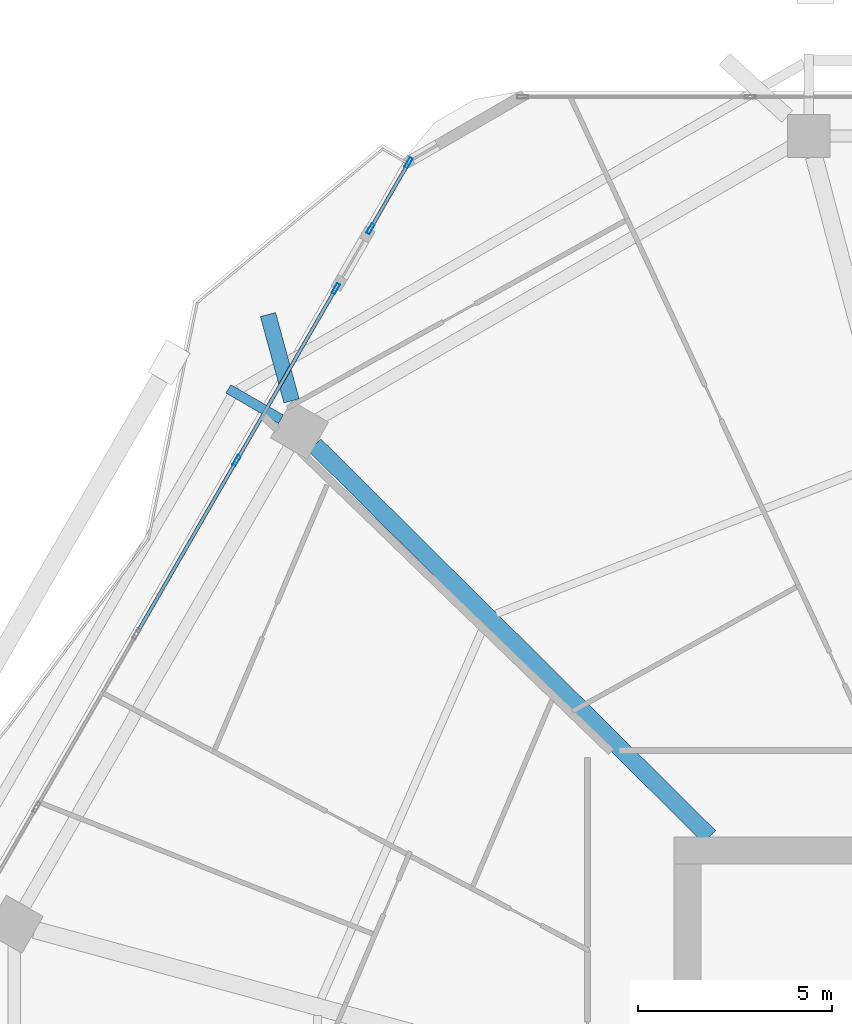
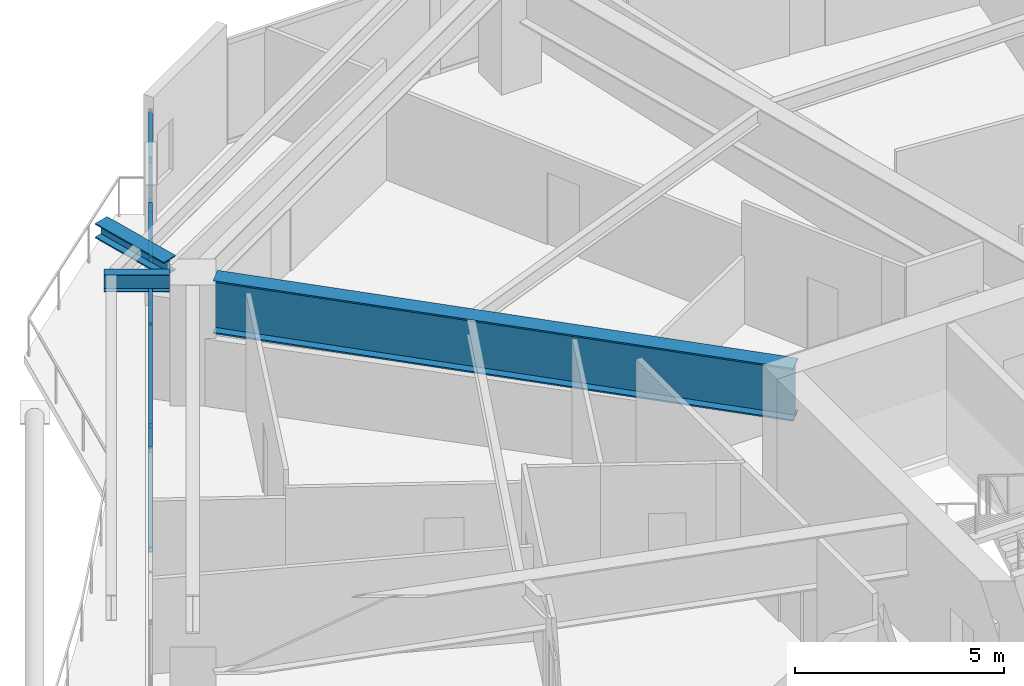
# One storey, part 16 of 33: 10 members, 3 beams, 2 elements without a shape of their own.
"""IFC4 building model written with IfcOpenShell, lengths in metres."""

from ifc_helpers import new_model, si_unit, direction, frame, origin, origin_2d, place, context, subcontext, project, spatial, hollow_rectangle, i_section, extrude, material, material_profile, profile_set, type_object, element, aggregate, save


model = new_model("IFC4")

# Units and contexts
model_context = context("Model", 3, precision=1e-05, world=origin(), true_north=direction((0.0, 1.0)))
body_context = subcontext(model_context, "Body", "Model", "MODEL_VIEW")
ifc_project = project(units=[si_unit("LENGTHUNIT", "METRE"), si_unit("AREAUNIT", "SQUARE_METRE"), si_unit("VOLUMEUNIT", "CUBIC_METRE"), si_unit("PLANEANGLEUNIT", "RADIAN"), si_unit("MASSUNIT", "GRAM", prefix="KILO")], contexts=[model_context])

# Site, building, storey
site_placement = place(None, origin())
site = spatial("IfcSite", under=ifc_project, at=site_placement, CompositionType="ELEMENT")
building_placement = place(site_placement, origin())
building = spatial("IfcBuilding", under=site, at=building_placement, Name="Zuhravey Tower", CompositionType="ELEMENT")
storey_placement = place(building_placement, frame((0.0, 0.0, 141.800048828125)))
storey = spatial("IfcBuildingStorey", under=building, at=storey_placement, Name="L35", CompositionType="ELEMENT", Elevation=141.800048828125)

# Curtain wall, members
ifc_material_1 = material(Name="Thermally broken anodised aluminium", Category="aluminium")
curtain_wall_type = type_object("IfcCurtainWallType", Name="Zone 1-2 Residential Curtain Wall CW3", PredefinedType="NOTDEFINED", material=ifc_material_1)
curtain_wall_1_placement = place(storey_placement, origin())
curtain_wall_1 = element("IfcCurtainWall", 1, at=curtain_wall_1_placement, inside=storey, type_object=curtain_wall_type, Name="L35 CW3 CW-L35-F3-1", PredefinedType="NOTDEFINED")
ifc_material_2 = material(Name="Anodised aluminium", Category="aluminium")
ifc_material_profile_1 = material_profile(ifc_material_2, hollow_rectangle(XDim=0.090087890625, YDim=0.284912109375, WallThickness=0.0048828125, at=origin_2d()), Name="ALU-RHS-90x285x5")
ifc_profile_set_1 = profile_set([ifc_material_profile_1], Name="Anodised aluminium")
member_type_1 = type_object("IfcMemberType", Name="Curtain-Wall Mullion 90x180", PredefinedType="MULLION", material=ifc_profile_set_1)
member_1_placement = place(storey_placement, frame((13.85791015625, 51.5654296875, 0.0), z_axis=(0.0, 0.0, 1.0), x_axis=(-0.866025507745, 0.499999819935, 0.0)))
member_1 = element("IfcMember", 2, at=member_1_placement, type_object=member_type_1, Name="CW3 mullion 5", PredefinedType="MULLION", context=body_context, shape_type="SweptSolid", body=[
    extrude(hollow_rectangle(XDim=0.090087890625, YDim=0.284912109375, WallThickness=0.0048828125, at=origin_2d()), origin(), (0.0, 0.0, 1.0), 3.02001953125),
])
member_2_placement = place(storey_placement, frame((16.41943359375, 56.00244140625, 0.0), z_axis=(0.0, 0.0, 1.0), x_axis=(-0.866025507745, 0.499999819935, 0.0)))
member_2 = element("IfcMember", 3, at=member_2_placement, type_object=member_type_1, Name="CW3 mullion 6", PredefinedType="MULLION", context=body_context, shape_type="SweptSolid", body=[
    extrude(hollow_rectangle(XDim=0.090087890625, YDim=0.284912109375, WallThickness=0.0048828125, at=origin_2d()), origin(), (0.0, 0.0, 1.0), 3.02001953125),
])

curtain_wall_2_placement = place(storey_placement, origin())
curtain_wall_2 = element("IfcCurtainWall", 4, at=curtain_wall_2_placement, inside=storey, type_object=curtain_wall_type, Name="L35 CW3 CW-L35-F3-2", PredefinedType="NOTDEFINED")
member_3_placement = place(storey_placement, frame((17.314453125, 57.552490234375, 0.0), z_axis=(0.0, 0.0, 1.0), x_axis=(-0.866031053447, 0.499990214369, 0.0)))
member_3 = element("IfcMember", 5, at=member_3_placement, type_object=member_type_1, Name="CW3 mullion 1", PredefinedType="MULLION", context=body_context, shape_type="SweptSolid", body=[
    extrude(hollow_rectangle(XDim=0.090087890625, YDim=0.284912109375, WallThickness=0.0048828125, at=origin_2d()), origin(), (0.0, 0.0, 1.0), 3.02001953125),
])
member_4_placement = place(storey_placement, frame((18.298583984375, 59.257080078125, 0.0), z_axis=(0.0, 0.0, 1.0), x_axis=(-0.866031053447, 0.499990214369, 0.0)))
member_4 = element("IfcMember", 6, at=member_4_placement, type_object=member_type_1, Name="CW3 mullion 2", PredefinedType="MULLION", context=body_context, shape_type="SweptSolid", body=[
    extrude(hollow_rectangle(XDim=0.090087890625, YDim=0.284912109375, WallThickness=0.0048828125, at=origin_2d()), origin(), (0.0, 0.0, 1.0), 3.02001953125),
])

# Member
ifc_material_profile_2 = material_profile(ifc_material_2, hollow_rectangle(XDim=0.090087890625, YDim=0.14990234375, WallThickness=0.0048828125, at=origin_2d()), Name="ALU-RHS-90x150x5")
ifc_profile_set_2 = profile_set([ifc_material_profile_2], Name="Anodised aluminium")
member_type_2 = type_object("IfcMemberType", Name="Curtain-Wall Transom 90x150", PredefinedType="USERDEFINED", material=ifc_profile_set_2)
member_5_placement = place(storey_placement, frame((11.296142578125, 47.128662109375, 0.044921875), z_axis=(0.499986018985, 0.866033475577, 0.0), x_axis=(-0.866033475577, 0.499986018985, 0.0)))
member_5 = element("IfcMember", 7, at=member_5_placement, type_object=member_type_2, Name="CW3 transom 4.1", ObjectType="TRANSOM", PredefinedType="USERDEFINED", context=body_context, shape_type="SweptSolid", body=[
    extrude(hollow_rectangle(XDim=0.090087890625, YDim=0.14990234375, WallThickness=0.0048828125, at=origin_2d()), origin(), (0.0, 0.0, 1.0), 5.078369140625),
])

member_6_placement = place(storey_placement, frame((11.296142578125, 47.128662109375, 2.974853515625), z_axis=(0.499986018985, 0.866033475577, 0.0), x_axis=(-0.866033475577, 0.499986018985, 0.0)))
member_6 = element("IfcMember", 8, at=member_6_placement, type_object=member_type_2, Name="CW3 transom 4.2", ObjectType="TRANSOM", PredefinedType="USERDEFINED", context=body_context, shape_type="SweptSolid", body=[
    extrude(hollow_rectangle(XDim=0.090087890625, YDim=0.14990234375, WallThickness=0.0048828125, at=origin_2d()), origin(), (0.0, 0.0, 1.0), 5.078369140625),
])

member_7_placement = place(storey_placement, frame((13.88037109375, 51.6044921875, 0.044921875), z_axis=(0.499999574138, 0.866025649656, 0.0), x_axis=(-0.866025649656, 0.499999574138, 0.0)))
member_7 = element("IfcMember", 9, at=member_7_placement, type_object=member_type_2, Name="CW3 transom 5.1", ObjectType="TRANSOM", PredefinedType="USERDEFINED", context=body_context, shape_type="SweptSolid", body=[
    extrude(hollow_rectangle(XDim=0.090087890625, YDim=0.14990234375, WallThickness=0.0048828125, at=origin_2d()), origin(), (0.0, 0.0, 1.0), 5.033203125),
])

member_8_placement = place(storey_placement, frame((13.88037109375, 51.6044921875, 2.974853515625), z_axis=(0.499999574138, 0.866025649656, 0.0), x_axis=(-0.866025649656, 0.499999574138, 0.0)))
member_8 = element("IfcMember", 10, at=member_8_placement, type_object=member_type_2, Name="CW3 transom 5.2", ObjectType="TRANSOM", PredefinedType="USERDEFINED", context=body_context, shape_type="SweptSolid", body=[
    extrude(hollow_rectangle(XDim=0.090087890625, YDim=0.14990234375, WallThickness=0.0048828125, at=origin_2d()), origin(), (0.0, 0.0, 1.0), 5.033203125),
])

aggregate(curtain_wall_1, [member_1, member_2, member_5, member_6, member_7, member_8])

member_9_placement = place(storey_placement, frame((17.3369140625, 57.591552734375, 0.044921875), z_axis=(0.499970019698, 0.866042712228, 0.0), x_axis=(-0.866042712228, 0.499970019698, 0.0)))
member_9 = element("IfcMember", 11, at=member_9_placement, type_object=member_type_2, Name="CW3 transom 1.1", ObjectType="TRANSOM", PredefinedType="USERDEFINED", context=body_context, shape_type="SweptSolid", body=[
    extrude(hollow_rectangle(XDim=0.090087890625, YDim=0.14990234375, WallThickness=0.0048828125, at=origin_2d()), origin(), (0.0, 0.0, 1.0), 1.8779296875),
])

member_10_placement = place(storey_placement, frame((17.3369140625, 57.591552734375, 2.974853515625), z_axis=(0.499970019698, 0.866042712228, 0.0), x_axis=(-0.866042712228, 0.499970019698, 0.0)))
member_10 = element("IfcMember", 12, at=member_10_placement, type_object=member_type_2, Name="CW3 transom 1.2", ObjectType="TRANSOM", PredefinedType="USERDEFINED", context=body_context, shape_type="SweptSolid", body=[
    extrude(hollow_rectangle(XDim=0.090087890625, YDim=0.14990234375, WallThickness=0.0048828125, at=origin_2d()), origin(), (0.0, 0.0, 1.0), 1.8779296875),
])

aggregate(curtain_wall_2, [member_3, member_4, member_9, member_10])

# Beams
ifc_material_3 = material(Name="Steel SM460", Category="steel")
ifc_material_profile_3 = material_profile(ifc_material_3, i_section(OverallWidth=0.406982421875, OverallDepth=0.427978515625, WebThickness=0.02001953125, FlangeThickness=0.034912109375, at=origin_2d()), Name="H-428x407x20x35")
ifc_profile_set_3 = profile_set([ifc_material_profile_3], Name="Steel SM460")
beam_type_1 = type_object("IfcBeamType", Name="Exoskeleton Node Tie Beam H428x407", PredefinedType="BEAM", material=ifc_profile_set_3)
beam_1_placement = place(storey_placement, frame((15.276123046875, 53.10791015625, 3.305908203125), z_axis=(-0.26321575574, 0.964736993139, 0.0), x_axis=(-0.964736993139, -0.26321575574, 0.0)))
element("IfcBeam", 13, at=beam_1_placement, inside=storey, type_object=beam_type_1, Name="L35 Exoskeleton Node Tie NT1-05", PredefinedType="BEAM", context=body_context, shape_type="SweptSolid", body=[
    extrude(i_section(OverallWidth=0.406982421875, OverallDepth=0.427978515625, WebThickness=0.02001953125, FlangeThickness=0.034912109375, at=origin_2d()), origin(), (0.0, 0.0, 1.0), 2.310546875),
])
ifc_material_profile_4 = material_profile(ifc_material_3, i_section(OverallWidth=0.449951171875, OverallDepth=1.550048828125, WebThickness=0.02587890625, FlangeThickness=0.0419921875, at=origin_2d()), Name="H-1550x450x26x42")
ifc_profile_set_4 = profile_set([ifc_material_profile_4], Name="Steel SM460")
beam_type_2 = type_object("IfcBeamType", Name="Heavy Setback Transfer Girder H1550x450", PredefinedType="BEAM", material=ifc_profile_set_4)
beam_2_placement = place(storey_placement, frame((26.068603515625, 41.85302734375, 2.744873046875), z_axis=(-0.709906230344, 0.704296204816, 0.0), x_axis=(-0.704296204816, -0.709906230344, 0.0)))
element("IfcBeam", 14, at=beam_2_placement, inside=storey, type_object=beam_type_2, Name="L35 TG3 BM-L35-RAD-05", PredefinedType="BEAM", context=body_context, shape_type="SweptSolid", body=[
    extrude(i_section(OverallWidth=0.449951171875, OverallDepth=1.550048828125, WebThickness=0.02587890625, FlangeThickness=0.0419921875, at=origin_2d()), origin(), (0.0, 0.0, 1.0), 14.361083984375),
])
ifc_material_4 = material(Name="Steel SM355", Category="steel")
ifc_material_profile_5 = material_profile(ifc_material_4, i_section(OverallWidth=0.25, OverallDepth=0.5, WebThickness=0.010009765625, FlangeThickness=0.01611328125, at=origin_2d()), Name="H-500x250x10x16")
ifc_profile_set_5 = profile_set([ifc_material_profile_5], Name="Steel SM355")
beam_type_3 = type_object("IfcBeamType", Name="Tray Cantilever Spandrel H500x250", PredefinedType="SPANDREL", material=ifc_profile_set_5)
beam_3_placement = place(storey_placement, frame((15.001220703125, 52.6337890625, 3.27001953125), z_axis=(-0.8659700968, 0.500095782274, 0.0), x_axis=(-0.500095782274, -0.8659700968, 0.0)))
element("IfcBeam", 15, at=beam_3_placement, inside=storey, type_object=beam_type_3, Name="L35 Sky-Tray Cantilever Arm TSB1-R05", PredefinedType="SPANDREL", context=body_context, shape_type="SweptSolid", body=[
    extrude(i_section(OverallWidth=0.25, OverallDepth=0.5, WebThickness=0.010009765625, FlangeThickness=0.01611328125, at=origin_2d()), origin(), (0.0, 0.0, 1.0), 1.566162109375),
])

save(model, "model.ifc")
